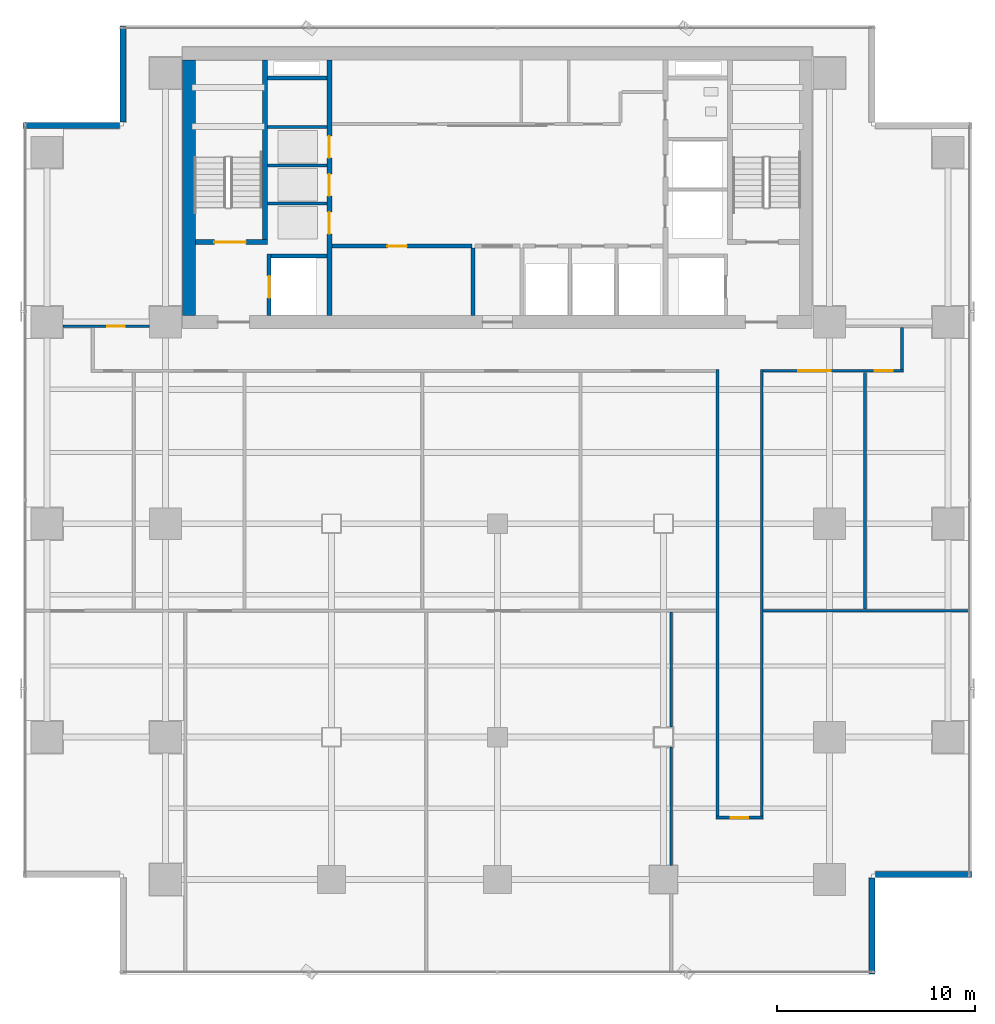
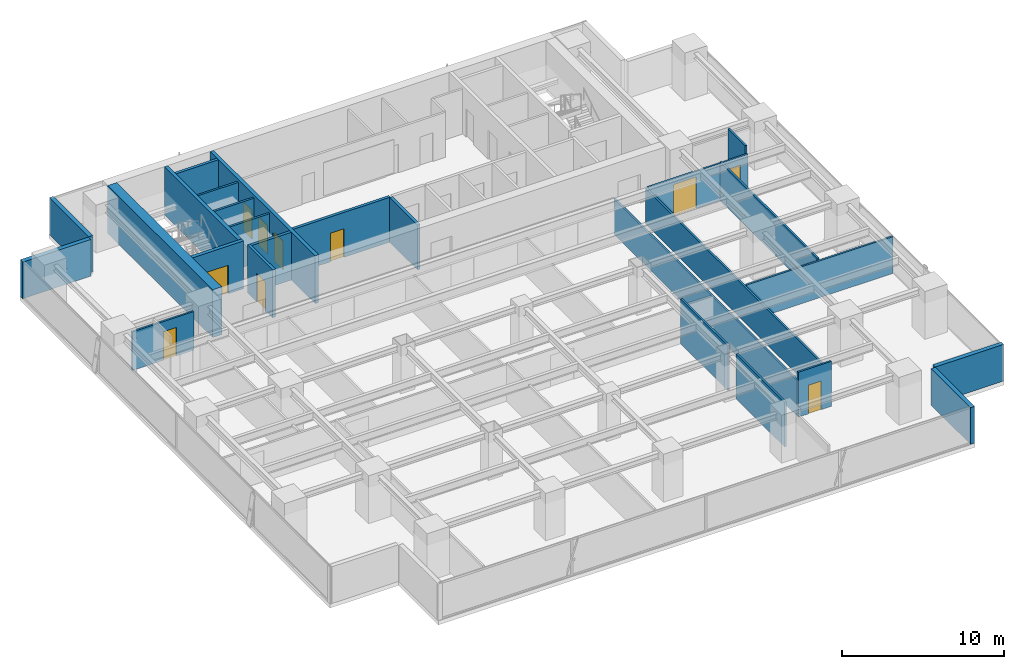
# One storey, part 21 of 29: 26 walls, 10 doors, 10 openings.
"""IFC4 building model written with IfcOpenShell, lengths in metres."""

from ifc_helpers import new_model, si_unit, direction, frame, frame_2d, origin, place, context, subcontext, project, spatial, rectangle, extrude, source, transform, mapped, material, layer, layer_set, type_object, element, fill, save


model = new_model("IFC4")

# Units and contexts
model_context = context("Model", 3, precision=1e-05, world=origin(), true_north=direction((0.0, 1.0)))
body_context = subcontext(model_context, "Body", "Model", "MODEL_VIEW")
ifc_project = project(units=[si_unit("LENGTHUNIT", "METRE"), si_unit("AREAUNIT", "SQUARE_METRE"), si_unit("VOLUMEUNIT", "CUBIC_METRE"), si_unit("PLANEANGLEUNIT", "RADIAN"), si_unit("MASSUNIT", "GRAM", prefix="KILO")], contexts=[model_context])

# Site, building, storey
site_placement = place(None, origin())
site = spatial("IfcSite", under=ifc_project, at=site_placement, CompositionType="ELEMENT")
building_placement = place(site_placement, origin())
building = spatial("IfcBuilding", under=site, at=building_placement, Name="Sumidabori Civic Tower", CompositionType="ELEMENT")
storey_placement = place(building_placement, frame((0.0, 0.0, 131.60009765625)))
storey = spatial("IfcBuildingStorey", under=building, at=storey_placement, Name="L33", CompositionType="ELEMENT", Elevation=131.60009765625)

# Walls
ifc_material_1 = material(Name="Concrete C50/60", Category="concrete")
ifc_layer_1 = layer(ifc_material_1, 0.199951171875, Name="Concrete C50/60")
ifc_layer_set_1 = layer_set([ifc_layer_1], Name="Concrete C50/60")
wall_type_1 = type_object("IfcWallType", Name="WL-SHAFT-200", PredefinedType="SHEAR", material=ifc_layer_set_1)
shared_shape_1 = source(origin(), body_context, "Body", "SweptSolid", [
    extrude(rectangle(XDim=2.824951171875, YDim=0.199951171875, at=frame_2d((1.41259765625, 0.0))), origin(), (0.0, 0.0, 1.0), 3.599853515625),
])
wall_1_placement = place(storey_placement, frame((-11.449951171875, 13.550048828125, 0.0), z_axis=(0.0, 0.0, 1.0), x_axis=(1.0, 0.0, 0.0)))
element("IfcWall", 1, at=wall_1_placement, inside=storey, type_object=wall_type_1, Name="Core Shear Wall L33 EL1-N", PredefinedType="SHEAR", context=body_context, shape_type="MappedRepresentation", body=[
    mapped(shared_shape_1, transform((0.0, 0.0, 0.0), x_axis=(1.0, 0.0, 0.0), y_axis=(0.0, 1.0, 0.0), z_axis=(0.0, 0.0, 1.0), scale=1.0)),
])
shared_shape_2 = source(origin(), body_context, "Body", "SweptSolid", [
    extrude(rectangle(XDim=3.02001953125, YDim=0.199951171875, at=frame_2d((1.510009765625, 0.0))), origin(), (0.0, 0.0, 1.0), 3.599853515625),
])
wall_2_placement = place(storey_placement, frame((-11.64501953125, 22.550048828125, 0.0), z_axis=(0.0, 0.0, 1.0), x_axis=(1.0, 0.0, 0.0)))
element("IfcWall", 2, at=wall_2_placement, inside=storey, type_object=wall_type_1, Name="Core Shear Wall L33 RIS1-S", PredefinedType="SHEAR", context=body_context, shape_type="MappedRepresentation", body=[
    mapped(shared_shape_2, transform((0.0, 0.0, 0.0), x_axis=(1.0, 0.0, 0.0), y_axis=(0.0, 1.0, 0.0), z_axis=(0.0, 0.0, 1.0), scale=1.0)),
])
ifc_material_2 = material(Name="Concrete C60/75", Category="concrete")
ifc_layer_2 = layer(ifc_material_2, 0.64990234375, Name="Concrete C60/75")
ifc_layer_set_2 = layer_set([ifc_layer_2], Name="Concrete C60/75")
wall_type_2 = type_object("IfcWallType", Name="WL-CORE-650", PredefinedType="SHEAR", material=ifc_layer_set_2)
shared_shape_3 = source(origin(), body_context, "Body", "SweptSolid", [
    extrude(rectangle(XDim=12.9501953125, YDim=0.64990234375, at=frame_2d((6.47509765625, 0.0))), origin(), (0.0, 0.0, 1.0), 3.599853515625),
])
wall_3_placement = place(storey_placement, frame((-15.60009765625, 10.52490234375, 0.0), z_axis=(0.0, 0.0, 1.0), x_axis=(0.0, 1.0, 0.0)))
element("IfcWall", 3, at=wall_3_placement, inside=storey, type_object=wall_type_2, Name="Core Shear Wall L33 W", PredefinedType="SHEAR", context=body_context, shape_type="MappedRepresentation", body=[
    mapped(shared_shape_3, transform((0.0, 0.0, 0.0), x_axis=(1.0, 0.0, 0.0), y_axis=(0.0, 1.0, 0.0), z_axis=(0.0, 0.0, 1.0), scale=1.0)),
])

# Wall, openings, doors
ifc_layer_3 = layer(ifc_material_1, 0.25, Name="Concrete C50/60")
ifc_layer_set_3 = layer_set([ifc_layer_3], Name="Concrete C50/60")
wall_type_3 = type_object("IfcWallType", Name="WL-SHAFT-250", PredefinedType="SHEAR", material=ifc_layer_set_3)
shared_shape_4 = source(origin(), body_context, "Body", "SweptSolid", [
    extrude(rectangle(XDim=12.9501953125, YDim=0.25, at=frame_2d((6.47509765625, 0.0))), origin(), (0.0, 0.0, 1.0), 3.599853515625),
])
wall_4_placement = place(storey_placement, frame((-8.5, 10.52490234375, 0.0), z_axis=(0.0, 0.0, 1.0), x_axis=(0.0, 1.0, 0.0)))
wall_4 = element("IfcWall", 4, at=wall_4_placement, inside=storey, type_object=wall_type_3, Name="Core Shear Wall L33 WEB-W", PredefinedType="SHEAR", context=body_context, shape_type="MappedRepresentation", body=[
    mapped(shared_shape_4, transform((0.0, 0.0, 0.0), x_axis=(1.0, 0.0, 0.0), y_axis=(0.0, 1.0, 0.0), z_axis=(0.0, 0.0, 1.0), scale=1.0)),
])
opening_1_placement = place(wall_4_placement, frame((4.14501953125, 0.0, 0.0)))
opening_1 = element("IfcOpeningElement", 5, at=opening_1_placement, cuts=wall_4, Name="Opening LD-1", PredefinedType="OPENING", context=body_context, shape_type="SweptSolid", body=[
    extrude(rectangle(XDim=1.10009765625, YDim=2.14990234375, at=frame_2d((0.550048828125, 1.074951171875))), frame((0.0, 0.136962890625, 0.0), z_axis=(0.0, -1.0, 0.0), x_axis=(1.0, 0.0, 0.0)), (0.0, 0.0, 1.0), 0.27392578125),
])
opening_2_placement = place(wall_4_placement, frame((6.06494140625, 0.0, 0.0)))
opening_2 = element("IfcOpeningElement", 6, at=opening_2_placement, cuts=wall_4, Name="Opening LD-1", PredefinedType="OPENING", context=body_context, shape_type="SweptSolid", body=[
    extrude(rectangle(XDim=1.10009765625, YDim=2.14990234375, at=frame_2d((0.550048828125, 1.074951171875))), frame((0.0, 0.136962890625, 0.0), z_axis=(0.0, -1.0, 0.0), x_axis=(1.0, 0.0, 0.0)), (0.0, 0.0, 1.0), 0.27392578125),
])
opening_3_placement = place(wall_4_placement, frame((7.985107421875, 0.0, 0.0)))
opening_3 = element("IfcOpeningElement", 7, at=opening_3_placement, cuts=wall_4, Name="Opening LD-1", PredefinedType="OPENING", context=body_context, shape_type="SweptSolid", body=[
    extrude(rectangle(XDim=1.10009765625, YDim=2.14990234375, at=frame_2d((0.550048828125, 1.074951171875))), frame((0.0, 0.136962890625, 0.0), z_axis=(0.0, -1.0, 0.0), x_axis=(1.0, 0.0, 0.0)), (0.0, 0.0, 1.0), 0.27392578125),
])
ifc_material_3 = material(Name="Stainless Steel Hairline Finish", Category="steel")
door_type_1 = type_object("IfcDoorType", Name="DR-LD1", OperationType="DOUBLE_DOOR_SLIDING", PredefinedType="DOOR", material=ifc_material_3)
shared_shape_5 = source(origin(), body_context, "Body", "SweptSolid", [
    extrude(rectangle(XDim=1.10009765625, YDim=2.14990234375, at=frame_2d((0.550048828125, 1.074951171875))), frame((0.0, 0.02490234375, 0.0), z_axis=(0.0, -1.0, 0.0), x_axis=(1.0, 0.0, 0.0)), (0.0, 0.0, 1.0), 0.050048828125),
])
door_1_placement = place(opening_1_placement, origin())
door_1 = element("IfcDoor", 8, at=door_1_placement, inside=storey, type_object=door_type_1, Name="Door DR:L33:LD-PLH1", OperationType="DOUBLE_DOOR_SLIDING", OverallHeight=2.14990234375, OverallWidth=1.10009765625, PredefinedType="DOOR", context=body_context, shape_type="MappedRepresentation", body=[
    mapped(shared_shape_5, transform((0.0, 0.0, 0.0), x_axis=(1.0, 0.0, 0.0), y_axis=(0.0, 1.0, 0.0), z_axis=(0.0, 0.0, 1.0), scale=1.0)),
])
fill(opening_1, door_1)
door_2_placement = place(opening_2_placement, origin())
door_2 = element("IfcDoor", 9, at=door_2_placement, inside=storey, type_object=door_type_1, Name="Door DR:L33:LD-PLH2", OperationType="DOUBLE_DOOR_SLIDING", OverallHeight=2.14990234375, OverallWidth=1.10009765625, PredefinedType="DOOR", context=body_context, shape_type="MappedRepresentation", body=[
    mapped(shared_shape_5, transform((0.0, 0.0, 0.0), x_axis=(1.0, 0.0, 0.0), y_axis=(0.0, 1.0, 0.0), z_axis=(0.0, 0.0, 1.0), scale=1.0)),
])
fill(opening_2, door_2)
door_3_placement = place(opening_3_placement, origin())
door_3 = element("IfcDoor", 10, at=door_3_placement, inside=storey, type_object=door_type_1, Name="Door DR:L33:LD-PLH3", OperationType="DOUBLE_DOOR_SLIDING", OverallHeight=2.14990234375, OverallWidth=1.10009765625, PredefinedType="DOOR", context=body_context, shape_type="MappedRepresentation", body=[
    mapped(shared_shape_5, transform((0.0, 0.0, 0.0), x_axis=(1.0, 0.0, 0.0), y_axis=(0.0, 1.0, 0.0), z_axis=(0.0, 0.0, 1.0), scale=1.0)),
])
fill(opening_3, door_3)

# Wall, opening, door
shared_shape_6 = source(origin(), body_context, "Body", "SweptSolid", [
    extrude(rectangle(XDim=3.6298828125, YDim=0.25, at=frame_2d((1.81494140625, 0.0))), origin(), (0.0, 0.0, 1.0), 3.599853515625),
])
wall_5_placement = place(storey_placement, frame((-15.27490234375, 14.25, 0.0), z_axis=(0.0, 0.0, 1.0), x_axis=(1.0, 0.0, 0.0)))
wall_5 = element("IfcWall", 11, at=wall_5_placement, inside=storey, type_object=wall_type_3, Name="Core Shear Wall L33 ST1-S", PredefinedType="SHEAR", context=body_context, shape_type="MappedRepresentation", body=[
    mapped(shared_shape_6, transform((0.0, 0.0, 0.0), x_axis=(1.0, 0.0, 0.0), y_axis=(0.0, 1.0, 0.0), z_axis=(0.0, 0.0, 1.0), scale=1.0)),
])
opening_4_placement = place(wall_5_placement, frame((0.949951171875, 0.0, 0.0)))
opening_4 = element("IfcOpeningElement", 12, at=opening_4_placement, cuts=wall_5, Name="Opening DR-FD4", PredefinedType="OPENING", context=body_context, shape_type="SweptSolid", body=[
    extrude(rectangle(XDim=1.60009765625, YDim=2.14990234375, at=frame_2d((0.800048828125, 1.074951171875))), frame((0.0, 0.136962890625, 0.0), z_axis=(0.0, -1.0, 0.0), x_axis=(1.0, 0.0, 0.0)), (0.0, 0.0, 1.0), 0.27392578125),
])
ifc_material_4 = material(Name="Steel SN490", Category="steel")
door_type_2 = type_object("IfcDoorType", Name="DR-FD4", OperationType="DOUBLE_DOOR_SINGLE_SWING", PredefinedType="DOOR", material=ifc_material_4)
shared_shape_7 = source(origin(), body_context, "Body", "SweptSolid", [
    extrude(rectangle(XDim=1.60009765625, YDim=2.14990234375, at=frame_2d((0.800048828125, 1.074951171875))), frame((0.0, 0.02490234375, 0.0), z_axis=(0.0, -1.0, 0.0), x_axis=(1.0, 0.0, 0.0)), (0.0, 0.0, 1.0), 0.050048828125),
])
door_4_placement = place(opening_4_placement, origin())
door_4 = element("IfcDoor", 13, at=door_4_placement, inside=storey, type_object=door_type_2, Name="Door DR:L33:ST1", OperationType="DOUBLE_DOOR_SINGLE_SWING", OverallHeight=2.14990234375, OverallWidth=1.60009765625, PredefinedType="DOOR", context=body_context, shape_type="MappedRepresentation", body=[
    mapped(shared_shape_7, transform((0.0, 0.0, 0.0), x_axis=(1.0, 0.0, 0.0), y_axis=(0.0, 1.0, 0.0), z_axis=(0.0, 0.0, 1.0), scale=1.0)),
])
fill(opening_4, door_4)

# Wall
shared_shape_8 = source(origin(), body_context, "Body", "SweptSolid", [
    extrude(rectangle(XDim=9.10009765625, YDim=0.25, at=frame_2d((4.550048828125, 0.0))), origin(), (0.0, 0.0, 1.0), 3.599853515625),
])
wall_6_placement = place(storey_placement, frame((-11.77001953125, 14.375, 0.0), z_axis=(0.0, 0.0, 1.0), x_axis=(0.0, 1.0, 0.0)))
element("IfcWall", 14, at=wall_6_placement, inside=storey, type_object=wall_type_3, Name="Core Shear Wall L33 ST1-E", PredefinedType="SHEAR", context=body_context, shape_type="MappedRepresentation", body=[
    mapped(shared_shape_8, transform((0.0, 0.0, 0.0), x_axis=(1.0, 0.0, 0.0), y_axis=(0.0, 1.0, 0.0), z_axis=(0.0, 0.0, 1.0), scale=1.0)),
])

# Wall, opening, door
shared_shape_9 = source(origin(), body_context, "Body", "SweptSolid", [
    extrude(rectangle(XDim=3.125, YDim=0.199951171875, at=frame_2d((1.5625, 0.0))), origin(), (0.0, 0.0, 1.0), 3.599853515625),
])
wall_7_placement = place(storey_placement, frame((-11.550048828125, 10.52490234375, 0.0), z_axis=(0.0, 0.0, 1.0), x_axis=(0.0, 1.0, 0.0)))
wall_7 = element("IfcWall", 15, at=wall_7_placement, inside=storey, type_object=wall_type_1, Name="Core Shear Wall L33 EL1-W", PredefinedType="SHEAR", context=body_context, shape_type="MappedRepresentation", body=[
    mapped(shared_shape_9, transform((0.0, 0.0, 0.0), x_axis=(1.0, 0.0, 0.0), y_axis=(0.0, 1.0, 0.0), z_axis=(0.0, 0.0, 1.0), scale=1.0)),
])
opening_5_placement = place(wall_7_placement, frame((0.89990234375, 0.0, 0.0)))
opening_5 = element("IfcOpeningElement", 16, at=opening_5_placement, cuts=wall_7, Name="Opening LD-2", PredefinedType="OPENING", context=body_context, shape_type="SweptSolid", body=[
    extrude(rectangle(XDim=1.10009765625, YDim=2.14990234375, at=frame_2d((0.550048828125, 1.074951171875))), frame((0.0, 0.11181640625, 0.0), z_axis=(0.0, -1.0, 0.0), x_axis=(1.0, 0.0, 0.0)), (0.0, 0.0, 1.0), 0.223876953125),
])
door_type_3 = type_object("IfcDoorType", Name="DR-LD2", OperationType="DOUBLE_DOOR_SLIDING", PredefinedType="DOOR", material=ifc_material_3)
door_5_placement = place(opening_5_placement, origin())
door_5 = element("IfcDoor", 17, at=door_5_placement, inside=storey, type_object=door_type_3, Name="Door DR:L33:LD-EL1", OperationType="DOUBLE_DOOR_SLIDING", OverallHeight=2.14990234375, OverallWidth=1.10009765625, PredefinedType="DOOR", context=body_context, shape_type="MappedRepresentation", body=[
    mapped(shared_shape_5, transform((0.0, 0.0, 0.0), x_axis=(1.0, 0.0, 0.0), y_axis=(0.0, 1.0, 0.0), z_axis=(0.0, 0.0, 1.0), scale=1.0)),
])
fill(opening_5, door_5)

# Walls
ifc_material_5 = material(Name="Precast concrete C40/50", Category="concrete")
ifc_layer_4 = layer(ifc_material_5, 0.300048828125, Name="Precast concrete C40/50")
ifc_layer_set_4 = layer_set([ifc_layer_4], Name="Precast concrete C40/50")
wall_type_4 = type_object("IfcWallType", Name="WL-EXT-POD300", PredefinedType="STANDARD", material=ifc_layer_set_4)
shared_shape_10 = source(origin(), body_context, "Body", "SweptSolid", [
    extrude(rectangle(XDim=4.860107421875, YDim=0.300048828125, at=frame_2d((2.43017578125, 0.0))), origin(), (0.0, 0.0, 1.0), 2.760009765625),
])
wall_8_placement = place(storey_placement, frame((18.949951171875, -22.780029296875, 0.0), z_axis=(0.0, 0.0, 1.0), x_axis=(0.0, 1.0, 0.0)))
element("IfcWall", 18, at=wall_8_placement, inside=storey, type_object=wall_type_4, Name="Notched Corner Spandrel Band L33-02", PredefinedType="STANDARD", context=body_context, shape_type="MappedRepresentation", body=[
    mapped(shared_shape_10, transform((0.0, 0.0, 0.0), x_axis=(1.0, 0.0, 0.0), y_axis=(0.0, 1.0, 0.0), z_axis=(0.0, 0.0, 1.0), scale=1.0)),
])
shared_shape_11 = source(origin(), body_context, "Body", "SweptSolid", [
    extrude(rectangle(XDim=4.85986328125, YDim=0.300048828125, at=frame_2d((2.429931640625, 0.0))), origin(), (0.0, 0.0, 1.0), 2.760009765625),
])
for number, where, z_axis, x_axis, name in (
    (19, (19.1201171875, -17.75, 0.0), (0.0, 0.0, 1.0), (1.0, 0.0, 0.0), "Notched Corner Spandrel Band L33-03"),
    (20, (-18.949951171875, 25.179931640625, 0.0), (0.0, 0.0, 1.0), (0.0, -1.0, 0.0), "Notched Corner Spandrel Band L33-08"),
    (21, (-19.1201171875, 20.14990234375, 0.0), (0.0, 0.0, 1.0), (-1.0, 0.0, 0.0), "Notched Corner Spandrel Band L33-09"),
):
    element("IfcWall", number, at=place(storey_placement, frame(where, z_axis=z_axis, x_axis=x_axis)), inside=storey, type_object=wall_type_4, Name=name, PredefinedType="STANDARD", context=body_context, shape_type="MappedRepresentation", body=[
        mapped(shared_shape_11, transform((0.0, 0.0, 0.0), x_axis=(1.0, 0.0, 0.0), y_axis=(0.0, 1.0, 0.0), z_axis=(0.0, 0.0, 1.0), scale=1.0)),
    ])
ifc_material_6 = material(Name="Gypsum Plasterboard Acoustic Partition")
ifc_layer_5 = layer(ifc_material_6, 0.14990234375, Name="Gypsum Plasterboard Acoustic Partition")
ifc_layer_set_5 = layer_set([ifc_layer_5], Name="Gypsum Plasterboard Acoustic Partition")
wall_type_5 = type_object("IfcWallType", Name="WL-PART-150", PredefinedType="PARTITIONING", material=ifc_layer_set_5)
shared_shape_12 = source(origin(), body_context, "Body", "SweptSolid", [
    extrude(rectangle(XDim=3.010009765625, YDim=0.14990234375, at=frame_2d((1.5048828125, 0.0))), origin(), (0.0, 0.0, 1.0), 3.3798828125),
])
for number, where, z_axis, x_axis, name in (
    (22, (-11.639892578125, 16.199951171875, 0.0), (0.0, 0.0, 1.0), (1.0, 0.0, 0.0), "Interior Partition WL:L33:DIV-PLH1"),
    (23, (-11.639892578125, 18.1201171875, 0.0), (0.0, 0.0, 1.0), (1.0, 0.0, 0.0), "Interior Partition WL:L33:DIV-PLH2"),
    (24, (-11.639892578125, 20.080078125, 0.0), (0.0, 0.0, 1.0), (1.0, 0.0, 0.0), "Interior Partition WL:L33:DIV-PLH3"),
):
    element("IfcWall", number, at=place(storey_placement, frame(where, z_axis=z_axis, x_axis=x_axis)), inside=storey, type_object=wall_type_5, Name=name, PredefinedType="PARTITIONING", context=body_context, shape_type="MappedRepresentation", body=[
        mapped(shared_shape_12, transform((0.0, 0.0, 0.0), x_axis=(1.0, 0.0, 0.0), y_axis=(0.0, 1.0, 0.0), z_axis=(0.0, 0.0, 1.0), scale=1.0)),
    ])

# Wall, opening, door
ifc_material_7 = material(Name="Gypsum Plasterboard Fire Partition")
ifc_layer_6 = layer(ifc_material_7, 0.199951171875, Name="Gypsum Plasterboard Fire Partition")
ifc_layer_set_6 = layer_set([ifc_layer_6], Name="Gypsum Plasterboard Fire Partition")
wall_type_6 = type_object("IfcWallType", Name="WL-PART-FIRE", PredefinedType="PARTITIONING", material=ifc_layer_set_6)
shared_shape_13 = source(origin(), body_context, "Body", "SweptSolid", [
    extrude(rectangle(XDim=7.070068359375, YDim=0.199951171875, at=frame_2d((3.53515625, 0.0))), origin(), (0.0, 0.0, 1.0), 3.3798828125),
])
wall_9_placement = place(storey_placement, frame((-8.3701171875, 14.050048828125, 0.0), z_axis=(0.0, 0.0, 1.0), x_axis=(1.0, 0.0, 0.0)))
wall_9 = element("IfcWall", 25, at=wall_9_placement, inside=storey, type_object=wall_type_6, Name="Interior Partition WL:L33:CBAND-SW", PredefinedType="PARTITIONING", context=body_context, shape_type="MappedRepresentation", body=[
    mapped(shared_shape_13, transform((0.0, 0.0, 0.0), x_axis=(1.0, 0.0, 0.0), y_axis=(0.0, 1.0, 0.0), z_axis=(0.0, 0.0, 1.0), scale=1.0)),
])
opening_6_placement = place(wall_9_placement, frame((2.800048828125, 0.0, 0.0)))
opening_6 = element("IfcOpeningElement", 26, at=opening_6_placement, cuts=wall_9, Name="Opening DR-3", PredefinedType="OPENING", context=body_context, shape_type="SweptSolid", body=[
    extrude(rectangle(XDim=0.97998046875, YDim=2.14990234375, at=frame_2d((0.489990234375, 1.074951171875))), frame((0.0, 0.11181640625, 0.0), z_axis=(0.0, -1.0, 0.0), x_axis=(1.0, 0.0, 0.0)), (0.0, 0.0, 1.0), 0.223876953125),
])
ifc_material_8 = material(Name="Japanese Hinoki Timber", Category="wood")
door_type_4 = type_object("IfcDoorType", Name="DR-INT-980", OperationType="NOTDEFINED", PredefinedType="DOOR", material=ifc_material_8)
shared_shape_14 = source(origin(), body_context, "Body", "SweptSolid", [
    extrude(rectangle(XDim=0.97998046875, YDim=2.14990234375, at=frame_2d((0.489990234375, 1.074951171875))), frame((0.0, 0.02490234375, 0.0), z_axis=(0.0, -1.0, 0.0), x_axis=(1.0, 0.0, 0.0)), (0.0, 0.0, 1.0), 0.050048828125),
])
door_6_placement = place(opening_6_placement, origin())
door_6 = element("IfcDoor", 27, at=door_6_placement, inside=storey, type_object=door_type_4, Name="Door DR:L33:REC-B1", OperationType="SINGLE_SWING_LEFT", OverallHeight=2.14990234375, OverallWidth=0.97998046875, PredefinedType="DOOR", context=body_context, shape_type="MappedRepresentation", body=[
    mapped(shared_shape_14, transform((0.0, 0.0, 0.0), x_axis=(1.0, 0.0, 0.0), y_axis=(0.0, 1.0, 0.0), z_axis=(0.0, 0.0, 1.0), scale=1.0)),
])
fill(opening_6, door_6)

# Wall
shared_shape_15 = source(origin(), body_context, "Body", "SweptSolid", [
    extrude(rectangle(XDim=3.4150390625, YDim=0.199951171875, at=frame_2d((1.70751953125, 0.0))), origin(), (0.0, 0.0, 1.0), 3.3798828125),
])
wall_10_placement = place(storey_placement, frame((-1.25, 10.52490234375, 0.0), z_axis=(0.0, 0.0, 1.0), x_axis=(0.0, 1.0, 0.0)))
element("IfcWall", 28, at=wall_10_placement, inside=storey, type_object=wall_type_6, Name="Interior Partition WL:L33:THROAT-W", PredefinedType="PARTITIONING", context=body_context, shape_type="MappedRepresentation", body=[
    mapped(shared_shape_15, transform((0.0, 0.0, 0.0), x_axis=(1.0, 0.0, 0.0), y_axis=(0.0, 1.0, 0.0), z_axis=(0.0, 0.0, 1.0), scale=1.0)),
])

# Wall, opening, door
ifc_layer_7 = layer(ifc_material_6, 0.135009765625, Name="Gypsum Plasterboard Acoustic Partition")
ifc_layer_set_7 = layer_set([ifc_layer_7], Name="Gypsum Plasterboard Acoustic Partition")
wall_type_7 = type_object("IfcWallType", Name="WL-PART-135", PredefinedType="PARTITIONING", material=ifc_layer_set_7)
shared_shape_16 = source(origin(), body_context, "Body", "SweptSolid", [
    extrude(rectangle(XDim=4.3798828125, YDim=0.135009765625, at=frame_2d((2.18994140625, 0.0))), origin(), (0.0, 0.0, 1.0), 2.914794921875),
])
wall_11_placement = place(storey_placement, frame((-21.989990234375, 10.0, 0.0), z_axis=(0.0, 0.0, 1.0), x_axis=(1.0, 0.0, 0.0)))
wall_11 = element("IfcWall", 29, at=wall_11_placement, inside=storey, type_object=wall_type_7, Name="Interior Partition WL:L33:FLK-NW", PredefinedType="PARTITIONING", context=body_context, shape_type="MappedRepresentation", body=[
    mapped(shared_shape_16, transform((0.0, 0.0, 0.0), x_axis=(1.0, 0.0, 0.0), y_axis=(0.0, 1.0, 0.0), z_axis=(0.0, 0.0, 1.0), scale=1.0)),
])
opening_7_placement = place(wall_11_placement, frame((2.235107421875, 0.0, 0.0)))
opening_7 = element("IfcOpeningElement", 30, at=opening_7_placement, cuts=wall_11, Name="Opening DR-1", PredefinedType="OPENING", context=body_context, shape_type="SweptSolid", body=[
    extrude(rectangle(XDim=0.89990234375, YDim=2.14990234375, at=frame_2d((0.449951171875, 1.074951171875))), frame((0.0, 0.07958984375, 0.0), z_axis=(0.0, -1.0, 0.0), x_axis=(1.0, 0.0, 0.0)), (0.0, 0.0, 1.0), 0.158935546875),
])
door_type_5 = type_object("IfcDoorType", Name="DR-INT-900", OperationType="NOTDEFINED", PredefinedType="DOOR", material=ifc_material_8)
shared_shape_17 = source(origin(), body_context, "Body", "SweptSolid", [
    extrude(rectangle(XDim=0.89990234375, YDim=2.14990234375, at=frame_2d((0.449951171875, 1.074951171875))), frame((0.0, 0.02490234375, 0.0), z_axis=(0.0, -1.0, 0.0), x_axis=(1.0, 0.0, 0.0)), (0.0, 0.0, 1.0), 0.050048828125),
])
door_7_placement = place(opening_7_placement, origin())
door_7 = element("IfcDoor", 31, at=door_7_placement, inside=storey, type_object=door_type_5, Name="Door DR:L33:FLK-NE", OperationType="SINGLE_SWING_LEFT", OverallHeight=2.14990234375, OverallWidth=0.89990234375, PredefinedType="DOOR", context=body_context, shape_type="MappedRepresentation", body=[
    mapped(shared_shape_17, transform((0.0, 0.0, 0.0), x_axis=(1.0, 0.0, 0.0), y_axis=(0.0, 1.0, 0.0), z_axis=(0.0, 0.0, 1.0), scale=1.0)),
])
fill(opening_7, door_7)

# Wall, openings, doors
shared_shape_18 = source(origin(), body_context, "Body", "SweptSolid", [
    extrude(rectangle(XDim=7.099853515625, YDim=0.135009765625, at=frame_2d((3.5498046875, 0.0))), origin(), (0.0, 0.0, 1.0), 2.764892578125),
])
wall_12_placement = place(storey_placement, frame((13.43505859375, 7.732421875, 0.0), z_axis=(0.0, 0.0, 1.0), x_axis=(1.0, 0.0, 0.0)))
wall_12 = element("IfcWall", 32, at=wall_12_placement, inside=storey, type_object=wall_type_7, Name="Interior Partition WL:L33:CORR-SE", PredefinedType="PARTITIONING", context=body_context, shape_type="MappedRepresentation", body=[
    mapped(shared_shape_18, transform((0.0, 0.0, 0.0), x_axis=(1.0, 0.0, 0.0), y_axis=(0.0, 1.0, 0.0), z_axis=(0.0, 0.0, 1.0), scale=1.0)),
])
opening_8_placement = place(wall_12_placement, frame((5.65625, 0.0, 0.0)))
opening_8 = element("IfcOpeningElement", 33, at=opening_8_placement, cuts=wall_12, Name="Opening DR-1", PredefinedType="OPENING", context=body_context, shape_type="SweptSolid", body=[
    extrude(rectangle(XDim=0.89990234375, YDim=2.14990234375, at=frame_2d((0.449951171875, 1.074951171875))), frame((0.0, 0.07958984375, 0.0), z_axis=(0.0, -1.0, 0.0), x_axis=(1.0, 0.0, 0.0)), (0.0, 0.0, 1.0), 0.158935546875),
])
opening_9_placement = place(wall_12_placement, frame((1.78369140625, 0.0, 0.0)))
opening_9 = element("IfcOpeningElement", 34, at=opening_9_placement, cuts=wall_12, Name="Opening DR-6", PredefinedType="OPENING", context=body_context, shape_type="SweptSolid", body=[
    extrude(rectangle(XDim=1.64990234375, YDim=2.35009765625, at=frame_2d((0.824951171875, 1.175048828125))), frame((0.0, 0.07958984375, 0.0), z_axis=(0.0, -1.0, 0.0), x_axis=(1.0, 0.0, 0.0)), (0.0, 0.0, 1.0), 0.158935546875),
])
door_8_placement = place(opening_8_placement, origin())
door_8 = element("IfcDoor", 35, at=door_8_placement, inside=storey, type_object=door_type_5, Name="Door DR:L33:D03", OperationType="SINGLE_SWING_LEFT", OverallHeight=2.14990234375, OverallWidth=0.89990234375, PredefinedType="DOOR", context=body_context, shape_type="MappedRepresentation", body=[
    mapped(shared_shape_17, transform((0.0, 0.0, 0.0), x_axis=(1.0, 0.0, 0.0), y_axis=(0.0, 1.0, 0.0), z_axis=(0.0, 0.0, 1.0), scale=1.0)),
])
fill(opening_8, door_8)
ifc_material_9 = material(Name="Anodised Bronze Aluminium AW-6063-T6", Category="aluminium")
door_type_6 = type_object("IfcDoorType", Name="DR-DBL-1650", OperationType="DOUBLE_DOOR_SINGLE_SWING", PredefinedType="DOOR", material=ifc_material_9)
shared_shape_19 = source(origin(), body_context, "Body", "SweptSolid", [
    extrude(rectangle(XDim=1.64990234375, YDim=2.35009765625, at=frame_2d((0.824951171875, 1.175048828125))), frame((0.0, 0.02490234375, 0.0), z_axis=(0.0, -1.0, 0.0), x_axis=(1.0, 0.0, 0.0)), (0.0, 0.0, 1.0), 0.050048828125),
])
door_9_placement = place(opening_9_placement, origin())
door_9 = element("IfcDoor", 36, at=door_9_placement, inside=storey, type_object=door_type_6, Name="Door DR:L33:D04", OperationType="DOUBLE_DOOR_SINGLE_SWING", OverallHeight=2.35009765625, OverallWidth=1.64990234375, PredefinedType="DOOR", context=body_context, shape_type="MappedRepresentation", body=[
    mapped(shared_shape_19, transform((0.0, 0.0, 0.0), x_axis=(1.0, 0.0, 0.0), y_axis=(0.0, 1.0, 0.0), z_axis=(0.0, 0.0, 1.0), scale=1.0)),
])
fill(opening_9, door_9)

# Wall, opening, door
shared_shape_20 = source(origin(), body_context, "Body", "SweptSolid", [
    extrude(rectangle(XDim=2.3701171875, YDim=0.135009765625, at=frame_2d((1.18505859375, 0.0))), origin(), (0.0, 0.0, 1.0), 3.3798828125),
])
wall_13_placement = place(storey_placement, frame((11.06494140625, -14.867431640625, 0.0), z_axis=(0.0, 0.0, 1.0), x_axis=(1.0, 0.0, 0.0)))
wall_13 = element("IfcWall", 37, at=wall_13_placement, inside=storey, type_object=wall_type_7, Name="Interior Partition WL:L33:CORR-CAP-E", PredefinedType="PARTITIONING", context=body_context, shape_type="MappedRepresentation", body=[
    mapped(shared_shape_20, transform((0.0, 0.0, 0.0), x_axis=(1.0, 0.0, 0.0), y_axis=(0.0, 1.0, 0.0), z_axis=(0.0, 0.0, 1.0), scale=1.0)),
])
opening_10_placement = place(wall_13_placement, frame((0.735107421875, 0.0, 0.0)))
opening_10 = element("IfcOpeningElement", 38, at=opening_10_placement, cuts=wall_13, Name="Opening DR-1", PredefinedType="OPENING", context=body_context, shape_type="SweptSolid", body=[
    extrude(rectangle(XDim=0.89990234375, YDim=2.14990234375, at=frame_2d((0.449951171875, 1.074951171875))), frame((0.0, 0.07958984375, 0.0), z_axis=(0.0, -1.0, 0.0), x_axis=(1.0, 0.0, 0.0)), (0.0, 0.0, 1.0), 0.158935546875),
])
door_10_placement = place(opening_10_placement, origin())
door_10 = element("IfcDoor", 39, at=door_10_placement, inside=storey, type_object=door_type_5, Name="Door DR:L33:D09", OperationType="SINGLE_SWING_LEFT", OverallHeight=2.14990234375, OverallWidth=0.89990234375, PredefinedType="DOOR", context=body_context, shape_type="MappedRepresentation", body=[
    mapped(shared_shape_17, transform((0.0, 0.0, 0.0), x_axis=(1.0, 0.0, 0.0), y_axis=(0.0, 1.0, 0.0), z_axis=(0.0, 0.0, 1.0), scale=1.0)),
])
fill(opening_10, door_10)

# Walls
shared_shape_21 = source(origin(), body_context, "Body", "SweptSolid", [
    extrude(rectangle(XDim=2.12255859375, YDim=0.135009765625, at=frame_2d((1.061279296875, 0.0))), origin(), (0.0, 0.0, 1.0), 3.3798828125),
])
wall_14_placement = place(storey_placement, frame((20.467529296875, 7.804931640625, 0.0), z_axis=(0.0, 0.0, 1.0), x_axis=(0.0, 1.0, 0.0)))
element("IfcWall", 40, at=wall_14_placement, inside=storey, type_object=wall_type_7, Name="Interior Partition WL:L33:CORR-VNE", PredefinedType="PARTITIONING", context=body_context, shape_type="MappedRepresentation", body=[
    mapped(shared_shape_21, transform((0.0, 0.0, 0.0), x_axis=(1.0, 0.0, 0.0), y_axis=(0.0, 1.0, 0.0), z_axis=(0.0, 0.0, 1.0), scale=1.0)),
])
shared_shape_22 = source(origin(), body_context, "Body", "SweptSolid", [
    extrude(rectangle(XDim=22.594970703125, YDim=0.135009765625, at=frame_2d((11.29736328125, 0.0))), origin(), (0.0, 0.0, 1.0), 2.664794921875),
])
for number, where, z_axis, x_axis, name in (
    (41, (11.132568359375, -14.794921875, 0.0), (0.0, 0.0, 1.0), (0.0, 1.0, 0.0), "Interior Partition WL:L33:CORR-VL-W"),
    (42, (13.367431640625, -14.794921875, 0.0), (0.0, 0.0, 1.0), (0.0, 1.0, 0.0), "Interior Partition WL:L33:CORR-VL-E"),
):
    element("IfcWall", number, at=place(storey_placement, frame(where, z_axis=z_axis, x_axis=x_axis)), inside=storey, type_object=wall_type_7, Name=name, PredefinedType="PARTITIONING", context=body_context, shape_type="MappedRepresentation", body=[
        mapped(shared_shape_22, transform((0.0, 0.0, 0.0), x_axis=(1.0, 0.0, 0.0), y_axis=(0.0, 1.0, 0.0), z_axis=(0.0, 0.0, 1.0), scale=1.0)),
    ])
shared_shape_23 = source(origin(), body_context, "Body", "SweptSolid", [
    extrude(rectangle(XDim=10.41015625, YDim=0.135009765625, at=frame_2d((5.205078125, 0.0))), origin(), (0.0, 0.0, 1.0), 2.764892578125),
])
wall_15_placement = place(storey_placement, frame((13.43994140625, -4.39990234375, 0.0), z_axis=(0.0, 0.0, 1.0), x_axis=(1.0, 0.0, 0.0)))
element("IfcWall", 43, at=wall_15_placement, inside=storey, type_object=wall_type_7, Name="Interior Partition WL:L33:BAND-Y-2", PredefinedType="PARTITIONING", context=body_context, shape_type="MappedRepresentation", body=[
    mapped(shared_shape_23, transform((0.0, 0.0, 0.0), x_axis=(1.0, 0.0, 0.0), y_axis=(0.0, 1.0, 0.0), z_axis=(0.0, 0.0, 1.0), scale=1.0)),
])
shared_shape_24 = source(origin(), body_context, "Body", "SweptSolid", [
    extrude(rectangle(XDim=11.9873046875, YDim=0.135009765625, at=frame_2d((5.99365234375, 0.0))), origin(), (0.0, 0.0, 1.0), 2.914794921875),
])
wall_16_placement = place(storey_placement, frame((18.60009765625, -4.327392578125, 0.0), z_axis=(0.0, 0.0, 1.0), x_axis=(0.0, 1.0, 0.0)))
element("IfcWall", 44, at=wall_16_placement, inside=storey, type_object=wall_type_7, Name="Interior Partition WL:L33:VX-N5", PredefinedType="PARTITIONING", context=body_context, shape_type="MappedRepresentation", body=[
    mapped(shared_shape_24, transform((0.0, 0.0, 0.0), x_axis=(1.0, 0.0, 0.0), y_axis=(0.0, 1.0, 0.0), z_axis=(0.0, 0.0, 1.0), scale=1.0)),
])
shared_shape_25 = source(origin(), body_context, "Body", "SweptSolid", [
    extrude(rectangle(XDim=5.97998046875, YDim=0.135009765625, at=frame_2d((2.989990234375, 0.0))), origin(), (0.0, 0.0, 1.0), 3.3798828125),
])
wall_17_placement = place(storey_placement, frame((8.800048828125, -17.2900390625, 0.0), z_axis=(0.0, 0.0, 1.0), x_axis=(0.0, 1.0, 0.0)))
element("IfcWall", 45, at=wall_17_placement, inside=storey, type_object=wall_type_7, Name="Interior Partition WL:L33:VX-S3-2", PredefinedType="PARTITIONING", context=body_context, shape_type="MappedRepresentation", body=[
    mapped(shared_shape_25, transform((0.0, 0.0, 0.0), x_axis=(1.0, 0.0, 0.0), y_axis=(0.0, 1.0, 0.0), z_axis=(0.0, 0.0, 1.0), scale=1.0)),
])
shared_shape_26 = source(origin(), body_context, "Body", "SweptSolid", [
    extrude(rectangle(XDim=5.817626953125, YDim=0.135009765625, at=frame_2d((2.90869140625, 0.0))), origin(), (0.0, 0.0, 1.0), 3.3798828125),
])
wall_18_placement = place(storey_placement, frame((8.800048828125, -10.2900390625, 0.0), z_axis=(0.0, 0.0, 1.0), x_axis=(0.0, 1.0, 0.0)))
element("IfcWall", 46, at=wall_18_placement, inside=storey, type_object=wall_type_7, Name="Interior Partition WL:L33:VX-S3-3", PredefinedType="PARTITIONING", context=body_context, shape_type="MappedRepresentation", body=[
    mapped(shared_shape_26, transform((0.0, 0.0, 0.0), x_axis=(1.0, 0.0, 0.0), y_axis=(0.0, 1.0, 0.0), z_axis=(0.0, 0.0, 1.0), scale=1.0)),
])

save(model, "model.ifc")
